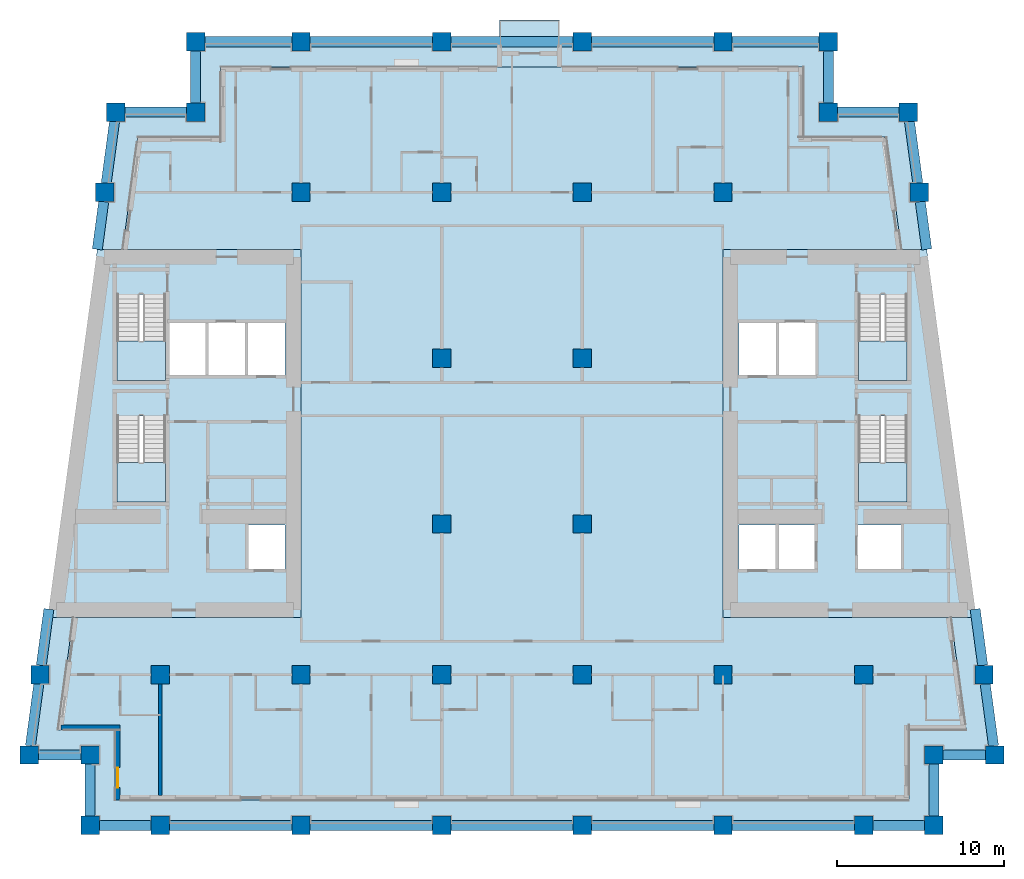
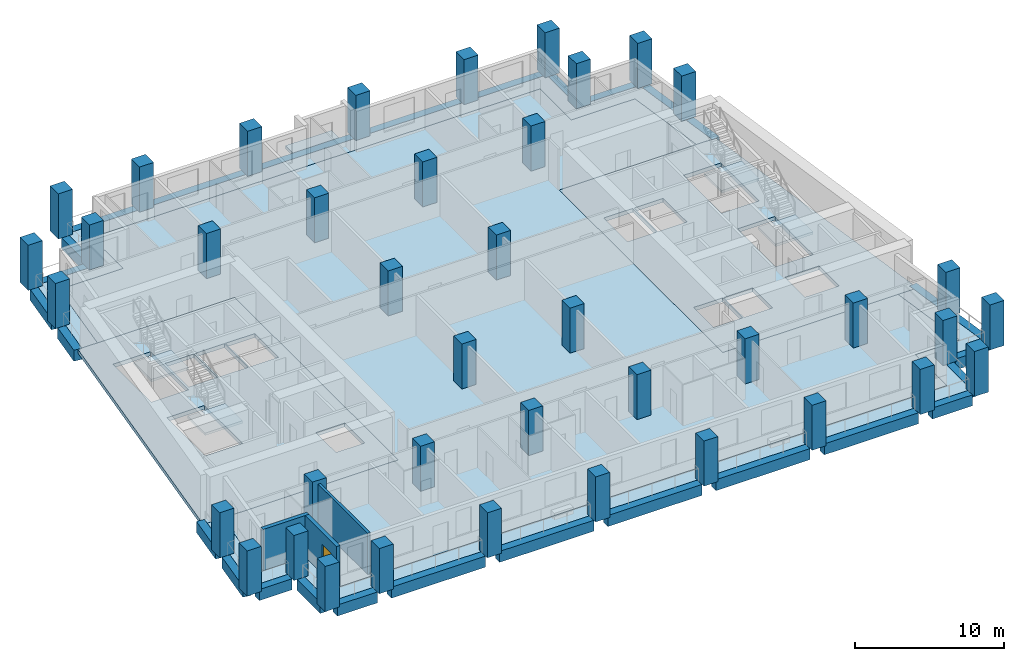
# One storey, part 1 of 12: 40 columns, 28 beams, 10 slabs, 3 walls, 1 door, 1 opening, 4 elements without a shape of their own.
"""IFC4 building model written with IfcOpenShell, lengths in metres."""

from ifc_helpers import new_model, si_unit, direction, frame, frame_2d, origin, origin_2d, place, context, subcontext, project, spatial, polyline, rectangle, outline, extrude, material, layer, layer_set, material_profile, profile_set, type_object, element, fill, aggregate, save


model = new_model("IFC4")

# Units and contexts
model_context = context("Model", 3, precision=1e-05, world=origin(), true_north=direction((0.0, 1.0)))
body_context = subcontext(model_context, "Body", "Model", "MODEL_VIEW")
ifc_project = project(units=[si_unit("LENGTHUNIT", "METRE"), si_unit("AREAUNIT", "SQUARE_METRE"), si_unit("VOLUMEUNIT", "CUBIC_METRE"), si_unit("PLANEANGLEUNIT", "RADIAN"), si_unit("MASSUNIT", "GRAM", prefix="KILO")], contexts=[model_context])

# Site, building, storey
site_placement = place(None, origin())
site = spatial("IfcSite", under=ifc_project, at=site_placement, CompositionType="ELEMENT")
building_placement = place(site_placement, origin())
building = spatial("IfcBuilding", under=site, at=building_placement, Name="Candeia Pilgrim Tower and Theatre", CompositionType="ELEMENT")
storey_placement = place(building_placement, frame((0.0, 0.0, 166.300048828125)))
storey = spatial("IfcBuildingStorey", under=building, at=storey_placement, Name="L39", CompositionType="ELEMENT", Elevation=166.300048828125)

# Columns
ifc_material_1 = material(Name="Concrete C60/75", Category="concrete")
ifc_material_profile_1 = material_profile(ifc_material_1, rectangle(XDim=1.10009765625, YDim=1.10009765625, at=origin_2d()))
ifc_profile_set_1 = profile_set([ifc_material_profile_1], Name="Concrete C60/75")
column_type = type_object("IfcColumnType", Name="RC 1100x1100 C60/75", PredefinedType="COLUMN", material=ifc_profile_set_1)
for number, where, z_axis, x_axis, name in (
    (1, (92.39990234375, 98.0, 0.0), (0.0, 0.0, 1.0), (1.0, 0.0, 0.0), "Column A1"),
    (2, (100.800048828125, 98.0, 0.0), (0.0, 0.0, 1.0), (1.0, 0.0, 0.0), "Column A2"),
    (3, (109.199951171875, 98.0, 0.0), (0.0, 0.0, 1.0), (1.0, 0.0, 0.0), "Column A3"),
    (4, (117.60009765625, 98.0, 0.0), (0.0, 0.0, 1.0), (1.0, 0.0, 0.0), "Column A4"),
    (5, (126.0, 98.0, 0.0), (0.0, 0.0, 1.0), (1.0, 0.0, 0.0), "Column A5"),
    (6, (134.39990234375, 98.0, 0.0), (0.0, 0.0, 1.0), (1.0, 0.0, 0.0), "Column A6"),
    (7, (88.199951171875, 98.0, 0.0), (0.0, 0.0, 1.0), (1.0, 0.0, 0.0), "Column AW"),
    (8, (138.60009765625, 98.0, 0.0), (0.0, 0.0, 1.0), (1.0, 0.0, 0.0), "Column AE"),
    (9, (88.199951171875, 102.199951171875, 0.0), (0.0, 0.0, 1.0), (1.0, 0.0, 0.0), "Column NSW"),
    (10, (138.60009765625, 102.199951171875, 0.0), (0.0, 0.0, 1.0), (1.0, 0.0, 0.0), "Column NSE"),
    (11, (94.5, 140.60009765625, 0.0), (0.0, 0.0, 1.0), (1.0, 0.0, 0.0), "Column NNW"),
    (12, (132.300048828125, 140.60009765625, 0.0), (0.0, 0.0, 1.0), (1.0, 0.0, 0.0), "Column NNE"),
    (13, (84.5654296875, 102.199951171875, 0.0), (0.0, 0.0, 1.0), (1.0, 0.0, 0.0), "Column LSW"),
    (14, (142.234619140625, 102.199951171875, 0.0), (0.0, 0.0, 1.0), (1.0, 0.0, 0.0), "Column LSE"),
    (15, (89.734619140625, 140.60009765625, 0.0), (0.0, 0.0, 1.0), (1.0, 0.0, 0.0), "Column LNW"),
    (16, (137.0654296875, 140.60009765625, 0.0), (0.0, 0.0, 1.0), (1.0, 0.0, 0.0), "Column LNE"),
    (17, (92.39990234375, 107.0, 0.0), (0.0, 0.0, 1.0), (1.0, 0.0, 0.0), "Column B1"),
    (18, (100.800048828125, 107.0, 0.0), (0.0, 0.0, 1.0), (1.0, 0.0, 0.0), "Column B2"),
    (19, (109.199951171875, 107.0, 0.0), (0.0, 0.0, 1.0), (1.0, 0.0, 0.0), "Column B3"),
    (20, (117.60009765625, 107.0, 0.0), (0.0, 0.0, 1.0), (1.0, 0.0, 0.0), "Column B4"),
    (21, (126.0, 107.0, 0.0), (0.0, 0.0, 1.0), (1.0, 0.0, 0.0), "Column B5"),
    (22, (134.39990234375, 107.0, 0.0), (0.0, 0.0, 1.0), (1.0, 0.0, 0.0), "Column B6"),
    (23, (85.21142578125, 107.0, 0.0), (0.0, 0.0, 1.0), (1.0, 0.0, 0.0), "Column BW"),
    (24, (141.58837890625, 107.0, 0.0), (0.0, 0.0, 1.0), (1.0, 0.0, 0.0), "Column BE"),
    (25, (109.199951171875, 116.0, 0.0), (0.0, 0.0, 1.0), (1.0, 0.0, 0.0), "Column C3"),
    (26, (117.60009765625, 116.0, 0.0), (0.0, 0.0, 1.0), (1.0, 0.0, 0.0), "Column C4"),
    (27, (109.199951171875, 125.89990234375, 0.0), (0.0, 0.0, 1.0), (1.0, 0.0, 0.0), "Column D3"),
    (28, (117.60009765625, 125.89990234375, 0.0), (0.0, 0.0, 1.0), (1.0, 0.0, 0.0), "Column D4"),
    (29, (100.800048828125, 135.800048828125, 0.0), (0.0, 0.0, 1.0), (1.0, 0.0, 0.0), "Column E2"),
    (30, (109.199951171875, 135.800048828125, 0.0), (0.0, 0.0, 1.0), (1.0, 0.0, 0.0), "Column E3"),
    (31, (117.60009765625, 135.800048828125, 0.0), (0.0, 0.0, 1.0), (1.0, 0.0, 0.0), "Column E4"),
    (32, (126.0, 135.800048828125, 0.0), (0.0, 0.0, 1.0), (1.0, 0.0, 0.0), "Column E5"),
    (33, (89.08837890625, 135.800048828125, 0.0), (0.0, 0.0, 1.0), (1.0, 0.0, 0.0), "Column EW"),
    (34, (137.71142578125, 135.800048828125, 0.0), (0.0, 0.0, 1.0), (1.0, 0.0, 0.0), "Column EE"),
    (35, (100.800048828125, 144.800048828125, 0.0), (0.0, 0.0, 1.0), (1.0, 0.0, 0.0), "Column F2"),
    (36, (109.199951171875, 144.800048828125, 0.0), (0.0, 0.0, 1.0), (1.0, 0.0, 0.0), "Column F3"),
    (37, (117.60009765625, 144.800048828125, 0.0), (0.0, 0.0, 1.0), (1.0, 0.0, 0.0), "Column F4"),
    (38, (126.0, 144.800048828125, 0.0), (0.0, 0.0, 1.0), (1.0, 0.0, 0.0), "Column F5"),
    (39, (94.5, 144.800048828125, 0.0), (0.0, 0.0, 1.0), (1.0, 0.0, 0.0), "Column FW"),
    (40, (132.300048828125, 144.800048828125, 0.0), (0.0, 0.0, 1.0), (1.0, 0.0, 0.0), "Column FE"),
):
    element("IfcColumn", number, at=place(storey_placement, frame(where, z_axis=z_axis, x_axis=x_axis)), inside=storey, type_object=column_type, Name=name, PredefinedType="COLUMN", context=body_context, shape_type="SweptSolid", body=[
        extrude(rectangle(XDim=1.10009765625, YDim=1.10009765625, at=origin_2d()), origin(), (0.0, 0.0, 1.0), 3.699951171875),
    ])

# Beams
ifc_material_profile_2 = material_profile(ifc_material_1, rectangle(XDim=0.60009765625, YDim=0.89990234375, at=origin_2d()))
ifc_profile_set_2 = profile_set([ifc_material_profile_2], Name="Concrete C60/75")
beam_type = type_object("IfcBeamType", Name="RC 600x900 C60/75", PredefinedType="BEAM", material=ifc_profile_set_2)
beam_1_placement = place(storey_placement, frame((88.75, 98.0, -0.449951171875), z_axis=(1.0, 0.0, 0.0), x_axis=(0.0, 1.0, 0.0)))
element("IfcBeam", 41, at=beam_1_placement, inside=storey, type_object=beam_type, Name="Spandrel beam L39-01", PredefinedType="BEAM", context=body_context, shape_type="SweptSolid", body=[
    extrude(rectangle(XDim=0.60009765625, YDim=0.89990234375, at=origin_2d()), origin(), (0.0, 0.0, 1.0), 3.10009765625),
])
beam_2_placement = place(storey_placement, frame((92.949951171875, 98.0, -0.449951171875), z_axis=(1.0, 0.0, 0.0), x_axis=(0.0, 1.0, 0.0)))
element("IfcBeam", 42, at=beam_2_placement, inside=storey, type_object=beam_type, Name="Spandrel beam L39-02", PredefinedType="BEAM", context=body_context, shape_type="SweptSolid", body=[
    extrude(rectangle(XDim=0.60009765625, YDim=0.89990234375, at=origin_2d()), origin(), (0.0, 0.0, 1.0), 7.300048828125),
])
beam_3_placement = place(storey_placement, frame((101.35009765625, 98.0, -0.449951171875), z_axis=(1.0, 0.0, 0.0), x_axis=(0.0, 1.0, 0.0)))
element("IfcBeam", 43, at=beam_3_placement, inside=storey, type_object=beam_type, Name="Spandrel beam L39-03", PredefinedType="BEAM", context=body_context, shape_type="SweptSolid", body=[
    extrude(rectangle(XDim=0.60009765625, YDim=0.89990234375, at=origin_2d()), origin(), (0.0, 0.0, 1.0), 7.2998046875),
])
for number, where, z_axis, x_axis, name in (
    (44, (109.75, 98.0, -0.449951171875), (1.0, 0.0, 0.0), (0.0, 1.0, 0.0), "Spandrel beam L39-04"),
    (45, (118.14990234375, 98.0, -0.449951171875), (1.0, 0.0, 0.0), (0.0, 1.0, 0.0), "Spandrel beam L39-05"),
    (46, (126.550048828125, 98.0, -0.449951171875), (1.0, 0.0, 0.0), (0.0, 1.0, 0.0), "Spandrel beam L39-06"),
):
    element("IfcBeam", number, at=place(storey_placement, frame(where, z_axis=z_axis, x_axis=x_axis)), inside=storey, type_object=beam_type, Name=name, PredefinedType="BEAM", context=body_context, shape_type="SweptSolid", body=[
        extrude(rectangle(XDim=0.60009765625, YDim=0.89990234375, at=origin_2d()), origin(), (0.0, 0.0, 1.0), 7.300048828125),
    ])
beam_4_placement = place(storey_placement, frame((134.949951171875, 98.0, -0.449951171875), z_axis=(1.0, 0.0, 0.0), x_axis=(0.0, 1.0, 0.0)))
element("IfcBeam", 47, at=beam_4_placement, inside=storey, type_object=beam_type, Name="Spandrel beam L39-07", PredefinedType="BEAM", context=body_context, shape_type="SweptSolid", body=[
    extrude(rectangle(XDim=0.60009765625, YDim=0.89990234375, at=origin_2d()), origin(), (0.0, 0.0, 1.0), 3.10009765625),
])
beam_5_placement = place(storey_placement, frame((138.60009765625, 98.550048828125, -0.449951171875), z_axis=(0.0, 1.0, 0.0), x_axis=(-1.0, 0.0, 0.0)))
element("IfcBeam", 48, at=beam_5_placement, inside=storey, type_object=beam_type, Name="Spandrel beam L39-08", PredefinedType="BEAM", context=body_context, shape_type="SweptSolid", body=[
    extrude(rectangle(XDim=0.60009765625, YDim=0.89990234375, at=origin_2d()), origin(), (0.0, 0.0, 1.0), 3.099853515625),
])
beam_6_placement = place(storey_placement, frame((139.14990234375, 102.199951171875, -0.449951171875), z_axis=(1.0, 0.0, 0.0), x_axis=(0.0, 1.0, 0.0)))
element("IfcBeam", 49, at=beam_6_placement, inside=storey, type_object=beam_type, Name="Spandrel beam L39-09", PredefinedType="BEAM", context=body_context, shape_type="SweptSolid", body=[
    extrude(rectangle(XDim=0.60009765625, YDim=0.89990234375, at=origin_2d()), origin(), (0.0, 0.0, 1.0), 2.53466796875),
])
beam_7_placement = place(storey_placement, frame((142.16064453125, 102.75, -0.449951171875), z_axis=(-0.133405836075, 0.991061492997, 0.0), x_axis=(-0.991061492997, -0.133405836075, 0.0)))
element("IfcBeam", 50, at=beam_7_placement, inside=storey, type_object=beam_type, Name="Spandrel beam L39-10", PredefinedType="BEAM", context=body_context, shape_type="SweptSolid", body=[
    extrude(rectangle(XDim=0.60009765625, YDim=0.89990234375, at=origin_2d()), origin(), (0.0, 0.0, 1.0), 3.7333984375),
])
beam_8_placement = place(storey_placement, frame((141.514404296875, 107.550048828125, -0.449951171875), z_axis=(-0.133432414187, 0.99105791498, 0.0), x_axis=(-0.99105791498, -0.133432414187, 0.0)))
element("IfcBeam", 51, at=beam_8_placement, inside=storey, type_object=beam_type, Name="Spandrel beam L39-11", PredefinedType="BEAM", context=body_context, shape_type="SweptSolid", body=[
    extrude(rectangle(XDim=0.60009765625, YDim=0.89990234375, at=origin_2d()), origin(), (0.0, 0.0, 1.0), 3.390380859375),
])
beam_9_placement = place(storey_placement, frame((138.169189453125, 132.39990234375, -0.449951171875), z_axis=(-0.133370319951, 0.99106627314, 0.0), x_axis=(-0.99106627314, -0.133370319951, 0.0)))
element("IfcBeam", 52, at=beam_9_placement, inside=storey, type_object=beam_type, Name="Spandrel beam L39-12", PredefinedType="BEAM", context=body_context, shape_type="SweptSolid", body=[
    extrude(rectangle(XDim=0.60009765625, YDim=0.89990234375, at=origin_2d()), origin(), (0.0, 0.0, 1.0), 2.875732421875),
])
beam_10_placement = place(storey_placement, frame((137.637451171875, 136.35009765625, -0.449951171875), z_axis=(-0.133405836075, 0.991061492997, 0.0), x_axis=(-0.991061492997, -0.133405836075, 0.0)))
element("IfcBeam", 53, at=beam_10_placement, inside=storey, type_object=beam_type, Name="Spandrel beam L39-13", PredefinedType="BEAM", context=body_context, shape_type="SweptSolid", body=[
    extrude(rectangle(XDim=0.60009765625, YDim=0.89990234375, at=origin_2d()), origin(), (0.0, 0.0, 1.0), 3.7333984375),
])
beam_11_placement = place(storey_placement, frame((136.515380859375, 140.60009765625, -0.449951171875), z_axis=(-1.0, 0.0, 0.0), x_axis=(0.0, -1.0, 0.0)))
element("IfcBeam", 54, at=beam_11_placement, inside=storey, type_object=beam_type, Name="Spandrel beam L39-14", PredefinedType="BEAM", context=body_context, shape_type="SweptSolid", body=[
    extrude(rectangle(XDim=0.60009765625, YDim=0.89990234375, at=origin_2d()), origin(), (0.0, 0.0, 1.0), 3.665283203125),
])
beam_12_placement = place(storey_placement, frame((132.300048828125, 141.14990234375, -0.449951171875), z_axis=(0.0, 1.0, 0.0), x_axis=(-1.0, 0.0, 0.0)))
element("IfcBeam", 55, at=beam_12_placement, inside=storey, type_object=beam_type, Name="Spandrel beam L39-15", PredefinedType="BEAM", context=body_context, shape_type="SweptSolid", body=[
    extrude(rectangle(XDim=0.60009765625, YDim=0.89990234375, at=origin_2d()), origin(), (0.0, 0.0, 1.0), 3.10009765625),
])
beam_13_placement = place(storey_placement, frame((131.75, 144.800048828125, -0.449951171875), z_axis=(-1.0, 0.0, 0.0), x_axis=(0.0, -1.0, 0.0)))
element("IfcBeam", 56, at=beam_13_placement, inside=storey, type_object=beam_type, Name="Spandrel beam L39-16", PredefinedType="BEAM", context=body_context, shape_type="SweptSolid", body=[
    extrude(rectangle(XDim=0.60009765625, YDim=0.89990234375, at=origin_2d()), origin(), (0.0, 0.0, 1.0), 5.199951171875),
])
for number, where, z_axis, x_axis, name in (
    (57, (125.449951171875, 144.800048828125, -0.449951171875), (-1.0, 0.0, 0.0), (0.0, -1.0, 0.0), "Spandrel beam L39-17"),
    (58, (117.050048828125, 144.800048828125, -0.449951171875), (-1.0, 0.0, 0.0), (0.0, -1.0, 0.0), "Spandrel beam L39-18"),
):
    element("IfcBeam", number, at=place(storey_placement, frame(where, z_axis=z_axis, x_axis=x_axis)), inside=storey, type_object=beam_type, Name=name, PredefinedType="BEAM", context=body_context, shape_type="SweptSolid", body=[
        extrude(rectangle(XDim=0.60009765625, YDim=0.89990234375, at=origin_2d()), origin(), (0.0, 0.0, 1.0), 7.300048828125),
    ])
beam_14_placement = place(storey_placement, frame((108.64990234375, 144.800048828125, -0.449951171875), z_axis=(-1.0, 0.0, 0.0), x_axis=(0.0, -1.0, 0.0)))
element("IfcBeam", 59, at=beam_14_placement, inside=storey, type_object=beam_type, Name="Spandrel beam L39-19", PredefinedType="BEAM", context=body_context, shape_type="SweptSolid", body=[
    extrude(rectangle(XDim=0.60009765625, YDim=0.89990234375, at=origin_2d()), origin(), (0.0, 0.0, 1.0), 7.2998046875),
])
beam_15_placement = place(storey_placement, frame((100.25, 144.800048828125, -0.449951171875), z_axis=(-1.0, 0.0, 0.0), x_axis=(0.0, -1.0, 0.0)))
element("IfcBeam", 60, at=beam_15_placement, inside=storey, type_object=beam_type, Name="Spandrel beam L39-20", PredefinedType="BEAM", context=body_context, shape_type="SweptSolid", body=[
    extrude(rectangle(XDim=0.60009765625, YDim=0.89990234375, at=origin_2d()), origin(), (0.0, 0.0, 1.0), 5.199951171875),
])
beam_16_placement = place(storey_placement, frame((94.5, 144.25, -0.449951171875), z_axis=(0.0, -1.0, 0.0), x_axis=(1.0, 0.0, 0.0)))
element("IfcBeam", 61, at=beam_16_placement, inside=storey, type_object=beam_type, Name="Spandrel beam L39-21", PredefinedType="BEAM", context=body_context, shape_type="SweptSolid", body=[
    extrude(rectangle(XDim=0.60009765625, YDim=0.89990234375, at=origin_2d()), origin(), (0.0, 0.0, 1.0), 3.10009765625),
])
beam_17_placement = place(storey_placement, frame((93.949951171875, 140.60009765625, -0.449951171875), z_axis=(-1.0, 0.0, 0.0), x_axis=(0.0, -1.0, 0.0)))
element("IfcBeam", 62, at=beam_17_placement, inside=storey, type_object=beam_type, Name="Spandrel beam L39-22", PredefinedType="BEAM", context=body_context, shape_type="SweptSolid", body=[
    extrude(rectangle(XDim=0.60009765625, YDim=0.89990234375, at=origin_2d()), origin(), (0.0, 0.0, 1.0), 3.665283203125),
])
beam_18_placement = place(storey_placement, frame((89.66064453125, 140.050048828125, -0.449951171875), z_axis=(-0.133405836075, -0.991061492997, 0.0), x_axis=(0.991061492997, -0.133405836075, 0.0)))
element("IfcBeam", 63, at=beam_18_placement, inside=storey, type_object=beam_type, Name="Spandrel beam L39-23", PredefinedType="BEAM", context=body_context, shape_type="SweptSolid", body=[
    extrude(rectangle(XDim=0.60009765625, YDim=0.89990234375, at=origin_2d()), origin(), (0.0, 0.0, 1.0), 3.7333984375),
])
beam_19_placement = place(storey_placement, frame((89.014404296875, 135.25, -0.449951171875), z_axis=(-0.133370319951, -0.99106627314, 0.0), x_axis=(0.99106627314, -0.133370319951, 0.0)))
element("IfcBeam", 64, at=beam_19_placement, inside=storey, type_object=beam_type, Name="Spandrel beam L39-24", PredefinedType="BEAM", context=body_context, shape_type="SweptSolid", body=[
    extrude(rectangle(XDim=0.60009765625, YDim=0.89990234375, at=origin_2d()), origin(), (0.0, 0.0, 1.0), 2.875732421875),
])
beam_20_placement = place(storey_placement, frame((85.73779296875, 110.91015625, -0.449951171875), z_axis=(-0.133361686371, -0.991067434945, 0.0), x_axis=(0.991067434945, -0.133361686371, 0.0)))
element("IfcBeam", 65, at=beam_20_placement, inside=storey, type_object=beam_type, Name="Spandrel beam L39-25", PredefinedType="BEAM", context=body_context, shape_type="SweptSolid", body=[
    extrude(rectangle(XDim=0.60009765625, YDim=0.89990234375, at=origin_2d()), origin(), (0.0, 0.0, 1.0), 3.390380859375),
])
beam_21_placement = place(storey_placement, frame((85.137451171875, 106.449951171875, -0.449951171875), z_axis=(-0.133405836075, -0.991061492997, 0.0), x_axis=(0.991061492997, -0.133405836075, 0.0)))
element("IfcBeam", 66, at=beam_21_placement, inside=storey, type_object=beam_type, Name="Spandrel beam L39-26", PredefinedType="BEAM", context=body_context, shape_type="SweptSolid", body=[
    extrude(rectangle(XDim=0.60009765625, YDim=0.89990234375, at=origin_2d()), origin(), (0.0, 0.0, 1.0), 3.7333984375),
])
beam_22_placement = place(storey_placement, frame((85.115478515625, 102.199951171875, -0.449951171875), z_axis=(1.0, 0.0, 0.0), x_axis=(0.0, 1.0, 0.0)))
element("IfcBeam", 67, at=beam_22_placement, inside=storey, type_object=beam_type, Name="Spandrel beam L39-27", PredefinedType="BEAM", context=body_context, shape_type="SweptSolid", body=[
    extrude(rectangle(XDim=0.60009765625, YDim=0.89990234375, at=origin_2d()), origin(), (0.0, 0.0, 1.0), 2.534423828125),
])
beam_23_placement = place(storey_placement, frame((88.199951171875, 101.64990234375, -0.449951171875), z_axis=(0.0, -1.0, 0.0), x_axis=(1.0, 0.0, 0.0)))
element("IfcBeam", 68, at=beam_23_placement, inside=storey, type_object=beam_type, Name="Spandrel beam L39-28", PredefinedType="BEAM", context=body_context, shape_type="SweptSolid", body=[
    extrude(rectangle(XDim=0.60009765625, YDim=0.89990234375, at=origin_2d()), origin(), (0.0, 0.0, 1.0), 3.099853515625),
])

# Slabs
ifc_material_2 = material(Name="Concrete C40/50", Category="concrete")
ifc_layer_1 = layer(ifc_material_2, 0.25)
ifc_layer_set_1 = layer_set([ifc_layer_1], Name="BK1 balcony slab 250")
slab_type_1 = type_object("IfcSlabType", Name="BK1 balcony slab 250", PredefinedType="USERDEFINED", material=ifc_layer_set_1)
slab_1_placement = place(storey_placement, frame((0.0, 0.0, -0.25)))
element("IfcSlab", 69, at=slab_1_placement, inside=storey, type_object=slab_type_1, Name="Balcony L39", ObjectType="BALCONY", PredefinedType="USERDEFINED", context=body_context, shape_type="SweptSolid", body=[
    extrude(outline(polyline([(112.64990234375, 144.5), (116.25, 144.5), (116.25, 146.10009765625), (112.64990234375, 146.10009765625), (112.64990234375, 144.5)])), origin(), (0.0, 0.0, 1.0), 0.25),
])
ifc_layer_2 = layer(ifc_material_1, 0.320068359375)
ifc_layer_set_2 = layer_set([ifc_layer_2], Name="FS-CORE 320 core floor")
slab_type_2 = type_object("IfcSlabType", Name="FS-CORE 320 core floor", PredefinedType="FLOOR", material=ifc_layer_set_2)
slab_2_placement = place(storey_placement, frame((0.0, 0.0, -0.320068359375)))
element("IfcSlab", 70, at=slab_2_placement, inside=storey, type_object=slab_type_2, Name="Core floor W L39", PredefinedType="FLOOR", context=body_context, shape_type="SweptSolid", body=[
    extrude(outline(polyline([(100.800048828125, 132.39990234375), (100.800048828125, 110.39990234375), (85.669189453125, 110.39990234375), (88.630859375, 132.39990234375), (100.800048828125, 132.39990234375)]), holes=[polyline([(97.59228515625, 128.050048828125), (97.59228515625, 124.85009765625), (99.85009765625, 124.85009765625), (99.85009765625, 128.050048828125), (97.59228515625, 128.050048828125)]), polyline([(97.613525390625, 113.25), (99.85009765625, 113.25), (99.85009765625, 115.949951171875), (97.613525390625, 115.949951171875), (97.613525390625, 113.25)]), polyline([(95.234619140625, 124.85009765625), (97.4921875, 124.85009765625), (97.4921875, 128.050048828125), (95.234619140625, 128.050048828125), (95.234619140625, 124.85009765625)]), polyline([(92.876953125, 128.050048828125), (92.876953125, 124.85009765625), (95.134765625, 124.85009765625), (95.134765625, 128.050048828125), (92.876953125, 128.050048828125)]), polyline([(89.802001953125, 122.455078125), (89.802001953125, 117.324951171875), (92.701904296875, 117.324951171875), (92.701904296875, 122.455078125), (89.802001953125, 122.455078125)]), polyline([(89.802001953125, 129.705078125), (89.802001953125, 124.574951171875), (92.701904296875, 124.574951171875), (92.701904296875, 129.705078125), (89.802001953125, 129.705078125)])]), origin(), (0.0, 0.0, 1.0), 0.320068359375),
])
slab_3_placement = place(storey_placement, frame((0.0, 0.0, -0.320068359375)))
element("IfcSlab", 71, at=slab_3_placement, inside=storey, type_object=slab_type_2, Name="Core floor E L39", PredefinedType="FLOOR", context=body_context, shape_type="SweptSolid", body=[
    extrude(outline(polyline([(138.169189453125, 132.39990234375), (141.130859375, 110.39990234375), (126.0, 110.39990234375), (126.0, 132.39990234375), (138.169189453125, 132.39990234375)]), holes=[polyline([(134.097900390625, 122.455078125), (134.097900390625, 117.324951171875), (136.998046875, 117.324951171875), (136.998046875, 122.455078125), (134.097900390625, 122.455078125)]), polyline([(134.097900390625, 129.705078125), (134.097900390625, 124.574951171875), (136.998046875, 124.574951171875), (136.998046875, 129.705078125), (134.097900390625, 129.705078125)]), polyline([(136.672607421875, 115.949951171875), (134.02294921875, 115.949951171875), (134.02294921875, 113.25), (136.672607421875, 113.25), (136.672607421875, 115.949951171875)]), polyline([(131.565185546875, 128.050048828125), (129.3076171875, 128.050048828125), (129.3076171875, 124.85009765625), (131.565185546875, 124.85009765625), (131.565185546875, 128.050048828125)]), polyline([(131.52294921875, 115.949951171875), (129.28662109375, 115.949951171875), (129.28662109375, 113.25), (131.52294921875, 113.25), (131.52294921875, 115.949951171875)]), polyline([(129.207763671875, 128.050048828125), (126.949951171875, 128.050048828125), (126.949951171875, 124.85009765625), (129.207763671875, 124.85009765625), (129.207763671875, 128.050048828125)]), polyline([(126.949951171875, 115.949951171875), (126.949951171875, 113.25), (129.1865234375, 113.25), (129.1865234375, 115.949951171875), (126.949951171875, 115.949951171875)])]), origin(), (0.0, 0.0, 1.0), 0.320068359375),
])
ifc_material_3 = material(Name="Concrete C50/60", Category="concrete")
ifc_layer_3 = layer(ifc_material_3, 0.320068359375)
ifc_layer_set_3 = layer_set([ifc_layer_3], Name="Floor slab 320 C50/60")
slab_type_3 = type_object("IfcSlabType", Name="Floor slab 320 C50/60", PredefinedType="FLOOR", material=ifc_layer_set_3)
slab_4_placement = place(storey_placement, frame((0.0, 0.0, -0.320068359375)))
element("IfcSlab", 72, at=slab_4_placement, inside=storey, type_object=slab_type_3, Name="Floor slab L39", PredefinedType="FLOOR", context=body_context, shape_type="SweptSolid", body=[
    extrude(outline(polyline([(96.0, 139.10009765625), (96.0, 143.300048828125), (130.800048828125, 143.300048828125), (130.800048828125, 139.10009765625), (135.753662109375, 139.10009765625), (136.65576171875, 132.39990234375), (126.0, 132.39990234375), (126.0, 110.39990234375), (139.6171875, 110.39990234375), (140.51904296875, 103.699951171875), (137.10009765625, 103.699951171875), (137.10009765625, 99.5), (89.699951171875, 99.5), (89.699951171875, 103.699951171875), (86.28076171875, 103.699951171875), (87.182861328125, 110.39990234375), (100.800048828125, 110.39990234375), (100.800048828125, 132.39990234375), (90.144287109375, 132.39990234375), (91.046142578125, 139.10009765625), (96.0, 139.10009765625)])), origin(), (0.0, 0.0, 1.0), 0.320068359375),
])
ifc_layer_4 = layer(ifc_material_2, 0.25)
ifc_layer_set_4 = layer_set([ifc_layer_4], Name="Loggia slab 250 C40/50")
slab_type_4 = type_object("IfcSlabType", Name="Loggia slab 250 C40/50", PredefinedType="FLOOR", material=ifc_layer_set_4)
slab_5_placement = place(storey_placement, frame((0.0, 0.0, -0.25)))
element("IfcSlab", 73, at=slab_5_placement, inside=storey, type_object=slab_type_4, Name="Loggia slab L39 1", PredefinedType="FLOOR", context=body_context, shape_type="SweptSolid", body=[
    extrude(outline(polyline([(87.182861328125, 110.39990234375), (86.28076171875, 103.699951171875), (89.699951171875, 103.699951171875), (89.699951171875, 99.5), (137.10009765625, 99.5), (137.10009765625, 103.699951171875), (140.51904296875, 103.699951171875), (139.6171875, 110.39990234375), (140.828125, 110.39990234375), (141.8916015625, 102.5), (138.300048828125, 102.5), (138.300048828125, 98.300048828125), (88.5, 98.300048828125), (88.5, 102.5), (84.908447265625, 102.5), (85.971923828125, 110.39990234375), (87.182861328125, 110.39990234375)])), origin(), (0.0, 0.0, 1.0), 0.25),
])
slab_6_placement = place(storey_placement, frame((0.0, 0.0, -0.25)))
element("IfcSlab", 74, at=slab_6_placement, inside=storey, type_object=slab_type_4, Name="Loggia slab L39 2", PredefinedType="FLOOR", context=body_context, shape_type="SweptSolid", body=[
    extrude(outline(polyline([(136.65576171875, 132.39990234375), (135.753662109375, 139.10009765625), (130.800048828125, 139.10009765625), (130.800048828125, 143.300048828125), (96.0, 143.300048828125), (96.0, 139.10009765625), (91.046142578125, 139.10009765625), (90.144287109375, 132.39990234375), (88.93359375, 132.39990234375), (89.996826171875, 140.300048828125), (94.800048828125, 140.300048828125), (94.800048828125, 144.5), (132.0, 144.5), (132.0, 140.300048828125), (136.802978515625, 140.300048828125), (137.866455078125, 132.39990234375), (136.65576171875, 132.39990234375)])), origin(), (0.0, 0.0, 1.0), 0.25),
])

# Stair, slab
stair_type = type_object("IfcStairType", Name="ST-TWR dog-leg escape stair", PredefinedType="HALF_TURN_STAIR", material=ifc_material_2)
stair_1_placement = place(storey_placement, origin())
stair_1 = element("IfcStair", 75, at=stair_1_placement, inside=storey, type_object=stair_type, Name="L39 Escape stair ST1", PredefinedType="HALF_TURN_STAIR")
ifc_layer_5 = layer(ifc_material_2, 0.199951171875)
ifc_layer_set_5 = layer_set([ifc_layer_5], Name="SL-LANDING stair landing")
slab_type_5 = type_object("IfcSlabType", Name="SL-LANDING stair landing", PredefinedType="LANDING", material=ifc_layer_set_5)
slab_7_placement = place(storey_placement, frame((0.0, 0.0, 1.64990234375)))
slab_7 = element("IfcSlab", 76, at=slab_7_placement, type_object=slab_type_5, Name="ST1 landing 1", PredefinedType="LANDING", context=body_context, shape_type="SweptSolid", body=[
    extrude(outline(polyline([(89.802001953125, 119.675048828125), (89.802001953125, 117.324951171875), (92.701904296875, 117.324951171875), (92.701904296875, 119.675048828125), (89.802001953125, 119.675048828125)])), origin(), (0.0, 0.0, 1.0), 0.199951171875),
])
aggregate(stair_1, [slab_7])

stair_2_placement = place(storey_placement, origin())
stair_2 = element("IfcStair", 77, at=stair_2_placement, inside=storey, type_object=stair_type, Name="L39 Escape stair ST2", PredefinedType="HALF_TURN_STAIR")
slab_8_placement = place(storey_placement, frame((0.0, 0.0, 1.64990234375)))
slab_8 = element("IfcSlab", 78, at=slab_8_placement, type_object=slab_type_5, Name="ST2 landing 1", PredefinedType="LANDING", context=body_context, shape_type="SweptSolid", body=[
    extrude(outline(polyline([(89.802001953125, 126.925048828125), (89.802001953125, 124.574951171875), (92.701904296875, 124.574951171875), (92.701904296875, 126.925048828125), (89.802001953125, 126.925048828125)])), origin(), (0.0, 0.0, 1.0), 0.199951171875),
])
aggregate(stair_2, [slab_8])

stair_3_placement = place(storey_placement, origin())
stair_3 = element("IfcStair", 79, at=stair_3_placement, inside=storey, type_object=stair_type, Name="L39 Escape stair ST3", PredefinedType="HALF_TURN_STAIR")
slab_9_placement = place(storey_placement, frame((0.0, 0.0, 1.64990234375)))
slab_9 = element("IfcSlab", 80, at=slab_9_placement, type_object=slab_type_5, Name="ST3 landing 1", PredefinedType="LANDING", context=body_context, shape_type="SweptSolid", body=[
    extrude(outline(polyline([(134.097900390625, 119.675048828125), (134.097900390625, 117.324951171875), (136.998046875, 117.324951171875), (136.998046875, 119.675048828125), (134.097900390625, 119.675048828125)])), origin(), (0.0, 0.0, 1.0), 0.199951171875),
])
aggregate(stair_3, [slab_9])

stair_4_placement = place(storey_placement, origin())
stair_4 = element("IfcStair", 81, at=stair_4_placement, inside=storey, type_object=stair_type, Name="L39 Escape stair ST4", PredefinedType="HALF_TURN_STAIR")
slab_10_placement = place(storey_placement, frame((0.0, 0.0, 1.64990234375)))
slab_10 = element("IfcSlab", 82, at=slab_10_placement, type_object=slab_type_5, Name="ST4 landing 1", PredefinedType="LANDING", context=body_context, shape_type="SweptSolid", body=[
    extrude(outline(polyline([(134.097900390625, 126.925048828125), (134.097900390625, 124.574951171875), (136.998046875, 124.574951171875), (136.998046875, 126.925048828125), (134.097900390625, 126.925048828125)])), origin(), (0.0, 0.0, 1.0), 0.199951171875),
])
aggregate(stair_4, [slab_10])

# Wall
ifc_material_4 = material(Name="Ceramic block masonry", Category="masonry")
ifc_layer_6 = layer(ifc_material_4, 0.300048828125)
ifc_layer_set_6 = layer_set([ifc_layer_6], Name="EW1 glazing-line wall 300")
wall_type_1 = type_object("IfcWallType", Name="EW1 glazing-line wall 300", PredefinedType="SOLIDWALL", material=ifc_layer_set_6)
wall_1_placement = place(storey_placement, frame((86.452392578125, 103.85009765625, 0.0), z_axis=(0.0, 0.0, 1.0), x_axis=(1.0, 0.0, 0.0)))
element("IfcWall", 83, at=wall_1_placement, inside=storey, type_object=wall_type_1, Name="External wall L39-10.0", PredefinedType="SOLIDWALL", context=body_context, shape_type="SweptSolid", body=[
    extrude(rectangle(XDim=3.547607421875, YDim=0.300048828125, at=frame_2d((1.77392578125, 0.0))), origin(), (0.0, 0.0, 1.0), 3.3798828125),
])

# Wall, opening, door
wall_2_placement = place(storey_placement, frame((89.85009765625, 103.85009765625, 0.0), z_axis=(0.0, 0.0, 1.0), x_axis=(0.0, -1.0, 0.0)))
wall_2 = element("IfcWall", 84, at=wall_2_placement, inside=storey, type_object=wall_type_1, Name="External wall L39-11.0", PredefinedType="SOLIDWALL", context=body_context, shape_type="SweptSolid", body=[
    extrude(rectangle(XDim=4.35009765625, YDim=0.300048828125, at=frame_2d((2.175048828125, 0.0))), origin(), (0.0, 0.0, 1.0), 3.3798828125),
])
opening_placement = place(wall_2_placement, frame((2.39990234375, 0.0, 0.0)))
opening = element("IfcOpeningElement", 85, at=opening_placement, cuts=wall_2, Name="Opening L39-ED381", PredefinedType="OPENING", context=body_context, shape_type="SweptSolid", body=[
    extrude(rectangle(XDim=1.199951171875, YDim=2.39990234375, at=frame_2d((0.60009765625, 1.199951171875))), frame((0.0, 0.16015625, 0.0), z_axis=(0.0, -1.0, 0.0), x_axis=(1.0, 0.0, 0.0)), (0.0, 0.0, 1.0), 0.320068359375),
])
ifc_material_5 = material(Name="Aluminium framed glazed door", Category="aluminium")
door_type = type_object("IfcDoorType", Name="Loggia door 1200x2400", OperationType="DOUBLE_DOOR_SINGLE_SWING", PredefinedType="DOOR", material=ifc_material_5)
door_placement = place(opening_placement, origin())
door = element("IfcDoor", 86, at=door_placement, inside=storey, type_object=door_type, Name="Loggia door L39-ED381", OperationType="DOUBLE_DOOR_SINGLE_SWING", OverallHeight=2.39990234375, OverallWidth=1.199951171875, PredefinedType="DOOR", context=body_context, shape_type="SweptSolid", body=[
    extrude(rectangle(XDim=1.199951171875, YDim=2.39990234375, at=frame_2d((0.60009765625, 1.199951171875))), frame((0.0, 0.02490234375, 0.0), z_axis=(0.0, -1.0, 0.0), x_axis=(1.0, 0.0, 0.0)), (0.0, 0.0, 1.0), 0.050048828125),
])
fill(opening, door)

# Wall
ifc_material_6 = material(Name="Gypsum board partition on steel studs", Category="steel")
ifc_layer_7 = layer(ifc_material_6, 0.199951171875)
ifc_layer_set_7 = layer_set([ifc_layer_7], Name="PW-200 party wall")
wall_type_2 = type_object("IfcWallType", Name="PW-200 party wall", PredefinedType="PARTITIONING", material=ifc_layer_set_7)
wall_3_placement = place(storey_placement, frame((92.39990234375, 99.7900390625, 0.0), z_axis=(0.0, 0.0, 1.0), x_axis=(0.0, 1.0, 0.0)))
element("IfcWall", 87, at=wall_3_placement, inside=storey, type_object=wall_type_2, Name="Party wall L39-053", PredefinedType="PARTITIONING", context=body_context, shape_type="SweptSolid", body=[
    extrude(rectangle(XDim=7.135009765625, YDim=0.199951171875, at=frame_2d((3.5673828125, 0.0))), origin(), (0.0, 0.0, 1.0), 3.3798828125),
])

save(model, "model.ifc")
